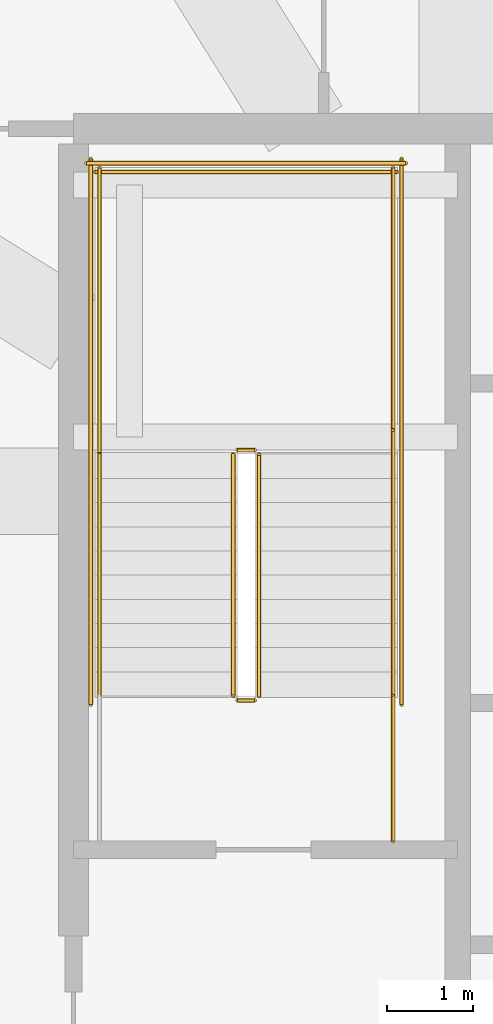
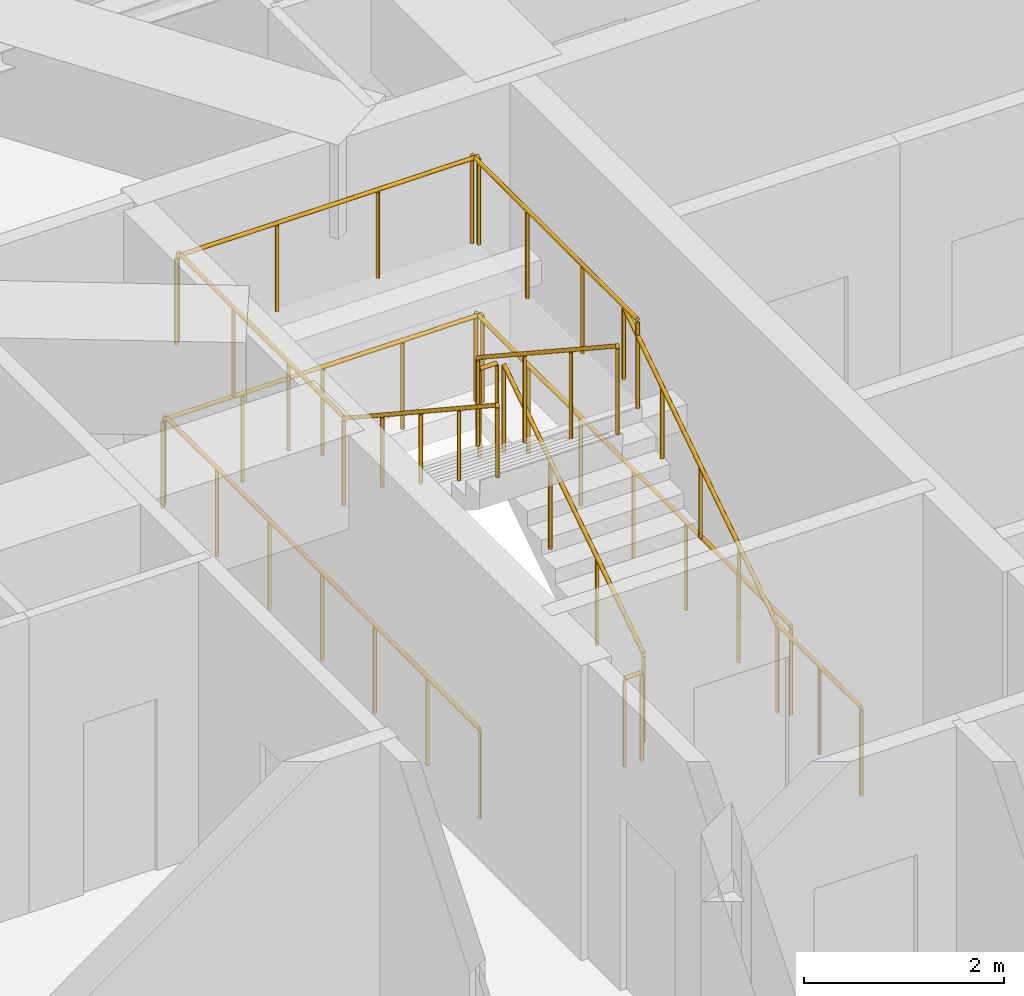
# One storey, part 37 of 40: 13 railings.
"""IFC4 building model written with IfcOpenShell, lengths in metres."""

from ifc_helpers import new_model, si_unit, direction, frame, origin, origin_2d, place, context, subcontext, project, spatial, circle, extrude, material, type_object, element, save


model = new_model("IFC4")

# Units and contexts
model_context = context("Model", 3, precision=1e-05, world=origin(), true_north=direction((0.0, 1.0)))
body_context = subcontext(model_context, "Body", "Model", "MODEL_VIEW")
ifc_project = project(units=[si_unit("LENGTHUNIT", "METRE"), si_unit("AREAUNIT", "SQUARE_METRE"), si_unit("VOLUMEUNIT", "CUBIC_METRE"), si_unit("PLANEANGLEUNIT", "RADIAN"), si_unit("MASSUNIT", "GRAM", prefix="KILO")], contexts=[model_context])

# Site, building, storey
site_placement = place(None, origin())
site = spatial("IfcSite", under=ifc_project, at=site_placement, CompositionType="ELEMENT")
building_placement = place(site_placement, origin())
building = spatial("IfcBuilding", under=site, at=building_placement, Name="Serunith Strait Residences", CompositionType="ELEMENT")
storey_placement = place(building_placement, frame((0.0, 0.0, 333.949951171875)))
storey = spatial("IfcBuildingStorey", under=building, at=storey_placement, Name="L83", CompositionType="ELEMENT", Elevation=333.949951171875)

# Railings
ifc_material = material(Name="Brushed stainless steel 316L", Category="steel")
railing_type_1 = type_object("IfcRailingType", Name="RLG-STAIR-GUARD", PredefinedType="BALUSTRADE", material=ifc_material)
railing_1_placement = place(storey_placement, frame((25.550048828125, 27.030029296875, 0.18408203125)))
element("IfcRailing", 1, at=railing_1_placement, inside=storey, type_object=railing_type_1, Name="L83 ST-1 stair guard 1", PredefinedType="BALUSTRADE", context=body_context, shape_type="SweptSolid", body=[
    extrude(circle(Radius=0.02392578125, at=origin_2d()), frame((0.0, 0.001708984375, 1.0771484375), z_axis=(0.0, 0.83556406348, 0.549393024911), x_axis=(-1.0, 0.0, 0.0)), (0.0, 0.0, 1.0), 3.34716796875),
    extrude(circle(Radius=0.02099609375, at=origin_2d()), origin(), (0.0, 0.0, 1.0), 1.050048828125),
    extrude(circle(Radius=0.02099609375, at=origin_2d()), frame((0.0, 0.933349609375, 0.61376953125)), (0.0, 0.0, 1.0), 1.050048828125),
    extrude(circle(Radius=0.02099609375, at=origin_2d()), frame((0.0, 1.86669921875, 1.227294921875)), (0.0, 0.0, 1.0), 1.050048828125),
    extrude(circle(Radius=0.02099609375, at=origin_2d()), frame((0.0, 2.800048828125, 1.841064453125)), (0.0, 0.0, 1.0), 1.050048828125),
])
railing_2_placement = place(storey_placement, frame((25.5, 29.8798828125, 2.025146484375)))
element("IfcRailing", 2, at=railing_2_placement, inside=storey, type_object=railing_type_1, Name="L83 ST-1 stair guard 2", PredefinedType="BALUSTRADE", context=body_context, shape_type="SweptSolid", body=[
    extrude(circle(Radius=0.02392578125, at=origin_2d()), frame((-0.001953125, 0.0, 1.076171875), z_axis=(-1.0, 0.0, 0.0), x_axis=(0.0, -1.0, 0.0)), (0.0, 0.0, 1.0), 0.196044921875),
    extrude(circle(Radius=0.02099609375, at=origin_2d()), origin(), (0.0, 0.0, 1.0), 1.050048828125),
    extrude(circle(Radius=0.02099609375, at=origin_2d()), frame((-0.199951171875, 0.0, 0.0)), (0.0, 0.0, 1.0), 1.050048828125),
])
for number, where, name in (
    (3, (27.10009765625, 29.830078125, 2.025146484375), "L83 ST-1 stair guard 3"),
    (4, (23.699951171875, 29.830078125, 2.025146484375), "L83 ST-1 stair guard 4"),
):
    element("IfcRailing", number, at=place(storey_placement, frame(where)), inside=storey, type_object=railing_type_1, Name=name, PredefinedType="BALUSTRADE", context=body_context, shape_type="SweptSolid", body=[
        extrude(circle(Radius=0.02392578125, at=origin_2d()), frame((0.0, 0.001953125, 1.076171875), z_axis=(0.0, 1.0, 0.0), x_axis=(-1.0, 0.0, 0.0)), (0.0, 0.0, 1.0), 3.31591796875),
        extrude(circle(Radius=0.02099609375, at=origin_2d()), origin(), (0.0, 0.0, 1.0), 1.050048828125),
        extrude(circle(Radius=0.02099609375, at=origin_2d()), frame((0.0, 1.106689453125, 0.0)), (0.0, 0.0, 1.0), 1.050048828125),
        extrude(circle(Radius=0.02099609375, at=origin_2d()), frame((0.0, 2.213134765625, 0.0)), (0.0, 0.0, 1.0), 1.050048828125),
        extrude(circle(Radius=0.02099609375, at=origin_2d()), frame((0.0, 3.31982421875, 0.0)), (0.0, 0.0, 1.0), 1.050048828125),
    ])
railing_3_placement = place(storey_placement, frame((27.14990234375, 33.10009765625, 2.025146484375)))
element("IfcRailing", 5, at=railing_3_placement, inside=storey, type_object=railing_type_1, Name="L83 ST-1 stair guard 5", PredefinedType="BALUSTRADE", context=body_context, shape_type="SweptSolid", body=[
    extrude(circle(Radius=0.02392578125, at=origin_2d()), frame((-0.001953125, 0.0, 1.076171875), z_axis=(-1.0, 0.0, 0.0), x_axis=(0.0, -1.0, 0.0)), (0.0, 0.0, 1.0), 3.49609375),
    extrude(circle(Radius=0.02099609375, at=origin_2d()), origin(), (0.0, 0.0, 1.0), 1.050048828125),
    extrude(circle(Radius=0.02099609375, at=origin_2d()), frame((-1.166748046875, 0.0, 0.0)), (0.0, 0.0, 1.0), 1.050048828125),
    extrude(circle(Radius=0.02099609375, at=origin_2d()), frame((-2.333251953125, 0.0, 0.0)), (0.0, 0.0, 1.0), 1.050048828125),
    extrude(circle(Radius=0.02099609375, at=origin_2d()), frame((-3.5, 0.0, 0.0)), (0.0, 0.0, 1.0), 1.050048828125),
])
railing_4_placement = place(storey_placement, frame((25.25, 29.830078125, 2.209228515625)))
element("IfcRailing", 6, at=railing_4_placement, inside=storey, type_object=railing_type_1, Name="L83 ST-1 stair guard 6", PredefinedType="BALUSTRADE", context=body_context, shape_type="SweptSolid", body=[
    extrude(circle(Radius=0.02392578125, at=origin_2d()), frame((0.0, -0.001708984375, 1.0771484375), z_axis=(0.0, -0.835597507184, 0.549342157483), x_axis=(1.0, 0.0, 0.0)), (0.0, 0.0, 1.0), 3.346923828125),
    extrude(circle(Radius=0.02099609375, at=origin_2d()), origin(), (0.0, 0.0, 1.0), 1.050048828125),
    extrude(circle(Radius=0.02099609375, at=origin_2d()), frame((0.0, -0.933349609375, 0.613525390625)), (0.0, 0.0, 1.0), 1.050048828125),
    extrude(circle(Radius=0.02099609375, at=origin_2d()), frame((0.0, -1.86669921875, 1.227294921875)), (0.0, 0.0, 1.0), 1.050048828125),
    extrude(circle(Radius=0.02099609375, at=origin_2d()), frame((0.0, -2.800048828125, 1.8408203125)), (0.0, 0.0, 1.0), 1.050048828125),
])
railing_5_placement = place(storey_placement, frame((25.5, 26.97998046875, 0.0)))
element("IfcRailing", 7, at=railing_5_placement, inside=storey, type_object=railing_type_1, Name="L83 ST-1 stair guard 7", PredefinedType="BALUSTRADE", context=body_context, shape_type="SweptSolid", body=[
    extrude(circle(Radius=0.02392578125, at=origin_2d()), frame((-0.001953125, 0.0, 1.076171875), z_axis=(-1.0, 0.0, 0.0), x_axis=(0.0, -1.0, 0.0)), (0.0, 0.0, 1.0), 0.196044921875),
    extrude(circle(Radius=0.02099609375, at=origin_2d()), origin(), (0.0, 0.0, 1.0), 1.050048828125),
    extrude(circle(Radius=0.02099609375, at=origin_2d()), frame((-0.199951171875, 0.0, 0.0)), (0.0, 0.0, 1.0), 1.050048828125),
])
railing_6_placement = place(storey_placement, frame((27.10009765625, 25.35009765625, 0.0)))
element("IfcRailing", 8, at=railing_6_placement, inside=storey, type_object=railing_type_1, Name="L83 ST-1 stair guard 8", PredefinedType="BALUSTRADE", context=body_context, shape_type="SweptSolid", body=[
    extrude(circle(Radius=0.02392578125, at=origin_2d()), frame((0.0, 0.001953125, 1.076171875), z_axis=(0.0, 1.0, 0.0), x_axis=(-1.0, 0.0, 0.0)), (0.0, 0.0, 1.0), 1.676025390625),
    extrude(circle(Radius=0.02099609375, at=origin_2d()), origin(), (0.0, 0.0, 1.0), 1.050048828125),
    extrude(circle(Radius=0.02099609375, at=origin_2d()), frame((0.0, 0.83984375, 0.0)), (0.0, 0.0, 1.0), 1.050048828125),
    extrude(circle(Radius=0.02099609375, at=origin_2d()), frame((0.0, 1.679931640625, 0.0)), (0.0, 0.0, 1.0), 1.050048828125),
])
for number, where, name in (
    (9, (27.199951171875, 26.929931640625, 0.0), "L83 ST-1 stair guard 10"),
    (10, (23.60009765625, 26.929931640625, 0.0), "L83 ST-1 stair guard 11"),
):
    element("IfcRailing", number, at=place(storey_placement, frame(where)), inside=storey, type_object=railing_type_1, Name=name, PredefinedType="BALUSTRADE", context=body_context, shape_type="SweptSolid", body=[
        extrude(circle(Radius=0.02392578125, at=origin_2d()), frame((0.0, 0.001953125, 1.076171875), z_axis=(0.0, 1.0, 0.0), x_axis=(-1.0, 0.0, 0.0)), (0.0, 0.0, 1.0), 6.316162109375),
        extrude(circle(Radius=0.02099609375, at=origin_2d()), origin(), (0.0, 0.0, 1.0), 1.050048828125),
        extrude(circle(Radius=0.02099609375, at=origin_2d()), frame((0.0, 1.05322265625, 0.0)), (0.0, 0.0, 1.0), 1.050048828125),
        extrude(circle(Radius=0.02099609375, at=origin_2d()), frame((0.0, 2.106689453125, 0.0)), (0.0, 0.0, 1.0), 1.050048828125),
        extrude(circle(Radius=0.02099609375, at=origin_2d()), frame((0.0, 3.16015625, 0.0)), (0.0, 0.0, 1.0), 1.050048828125),
        extrude(circle(Radius=0.02099609375, at=origin_2d()), frame((0.0, 4.21337890625, 0.0)), (0.0, 0.0, 1.0), 1.050048828125),
        extrude(circle(Radius=0.02099609375, at=origin_2d()), frame((0.0, 5.2666015625, 0.0)), (0.0, 0.0, 1.0), 1.050048828125),
        extrude(circle(Radius=0.02099609375, at=origin_2d()), frame((0.0, 6.320068359375, 0.0)), (0.0, 0.0, 1.0), 1.050048828125),
    ])
railing_7_placement = place(storey_placement, frame((27.25, 33.199951171875, 0.0)))
element("IfcRailing", 11, at=railing_7_placement, inside=storey, type_object=railing_type_1, Name="L83 ST-1 stair guard 12", PredefinedType="BALUSTRADE", context=body_context, shape_type="SweptSolid", body=[
    extrude(circle(Radius=0.02392578125, at=origin_2d()), frame((-0.001953125, 0.0, 1.076171875), z_axis=(-1.0, 0.0, 0.0), x_axis=(0.0, -1.0, 0.0)), (0.0, 0.0, 1.0), 3.696044921875),
    extrude(circle(Radius=0.02099609375, at=origin_2d()), origin(), (0.0, 0.0, 1.0), 1.050048828125),
    extrude(circle(Radius=0.02099609375, at=origin_2d()), frame((-0.925048828125, 0.0, 0.0)), (0.0, 0.0, 1.0), 1.050048828125),
    extrude(circle(Radius=0.02099609375, at=origin_2d()), frame((-1.85009765625, 0.0, 0.0)), (0.0, 0.0, 1.0), 1.050048828125),
    extrude(circle(Radius=0.02099609375, at=origin_2d()), frame((-2.77490234375, 0.0, 0.0)), (0.0, 0.0, 1.0), 1.050048828125),
    extrude(circle(Radius=0.02099609375, at=origin_2d()), frame((-3.699951171875, 0.0, 0.0)), (0.0, 0.0, 1.0), 1.050048828125),
])
railing_type_2 = type_object("IfcRailingType", Name="RLG-STAIR-HR", PredefinedType="HANDRAIL", material=ifc_material)
railing_8_placement = place(storey_placement, frame((27.10009765625, 27.030029296875, 0.18408203125)))
element("IfcRailing", 12, at=railing_8_placement, inside=storey, type_object=railing_type_2, Name="L83 ST-1 stair handrail 1", PredefinedType="HANDRAIL", context=body_context, shape_type="SweptSolid", body=[
    extrude(circle(Radius=0.02392578125, at=origin_2d()), frame((0.0, 0.001708984375, 0.876953125), z_axis=(0.0, 0.83496096917, 0.550309167616), x_axis=(-1.0, 0.0, 0.0)), (0.0, 0.0, 1.0), 3.684814453125),
    extrude(circle(Radius=0.02099609375, at=origin_2d()), origin(), (0.0, 0.0, 1.0), 0.849853515625),
    extrude(circle(Radius=0.02099609375, at=origin_2d()), frame((0.0, 0.77001953125, 0.507568359375)), (0.0, 0.0, 1.0), 0.849853515625),
    extrude(circle(Radius=0.02099609375, at=origin_2d()), frame((0.0, 1.5400390625, 1.01513671875)), (0.0, 0.0, 1.0), 0.849853515625),
    extrude(circle(Radius=0.02099609375, at=origin_2d()), frame((0.0, 2.31005859375, 1.5224609375)), (0.0, 0.0, 1.0), 0.849853515625),
    extrude(circle(Radius=0.02099609375, at=origin_2d()), frame((0.0, 3.080078125, 2.030029296875)), (0.0, 0.0, 1.0), 0.849853515625),
])
railing_9_placement = place(storey_placement, frame((23.699951171875, 29.830078125, 2.209228515625)))
element("IfcRailing", 13, at=railing_9_placement, inside=storey, type_object=railing_type_2, Name="L83 ST-1 stair handrail 2", PredefinedType="HANDRAIL", context=body_context, shape_type="SweptSolid", body=[
    extrude(circle(Radius=0.02392578125, at=origin_2d()), frame((0.0, -0.001708984375, 0.876953125), z_axis=(0.0, -0.83496096917, 0.550309167616), x_axis=(1.0, 0.0, 0.0)), (0.0, 0.0, 1.0), 3.684814453125),
    extrude(circle(Radius=0.02099609375, at=origin_2d()), origin(), (0.0, 0.0, 1.0), 0.849853515625),
    extrude(circle(Radius=0.02099609375, at=origin_2d()), frame((0.0, -0.77001953125, 0.507568359375)), (0.0, 0.0, 1.0), 0.849853515625),
    extrude(circle(Radius=0.02099609375, at=origin_2d()), frame((0.0, -1.5400390625, 1.01513671875)), (0.0, 0.0, 1.0), 0.849853515625),
    extrude(circle(Radius=0.02099609375, at=origin_2d()), frame((0.0, -2.31005859375, 1.5224609375)), (0.0, 0.0, 1.0), 0.849853515625),
    extrude(circle(Radius=0.02099609375, at=origin_2d()), frame((0.0, -3.080078125, 2.030029296875)), (0.0, 0.0, 1.0), 0.849853515625),
])

save(model, "model.ifc")
